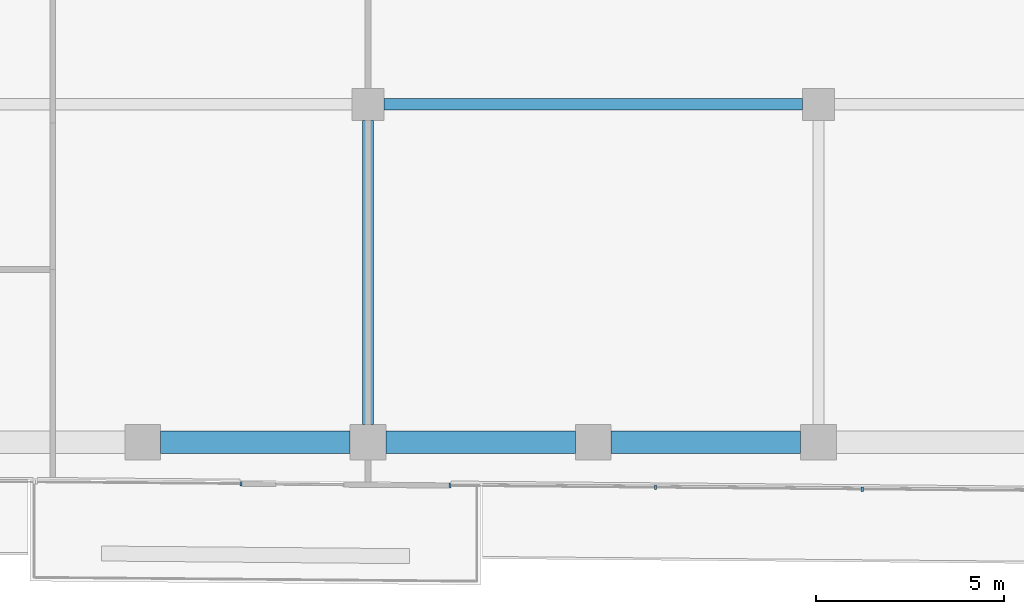
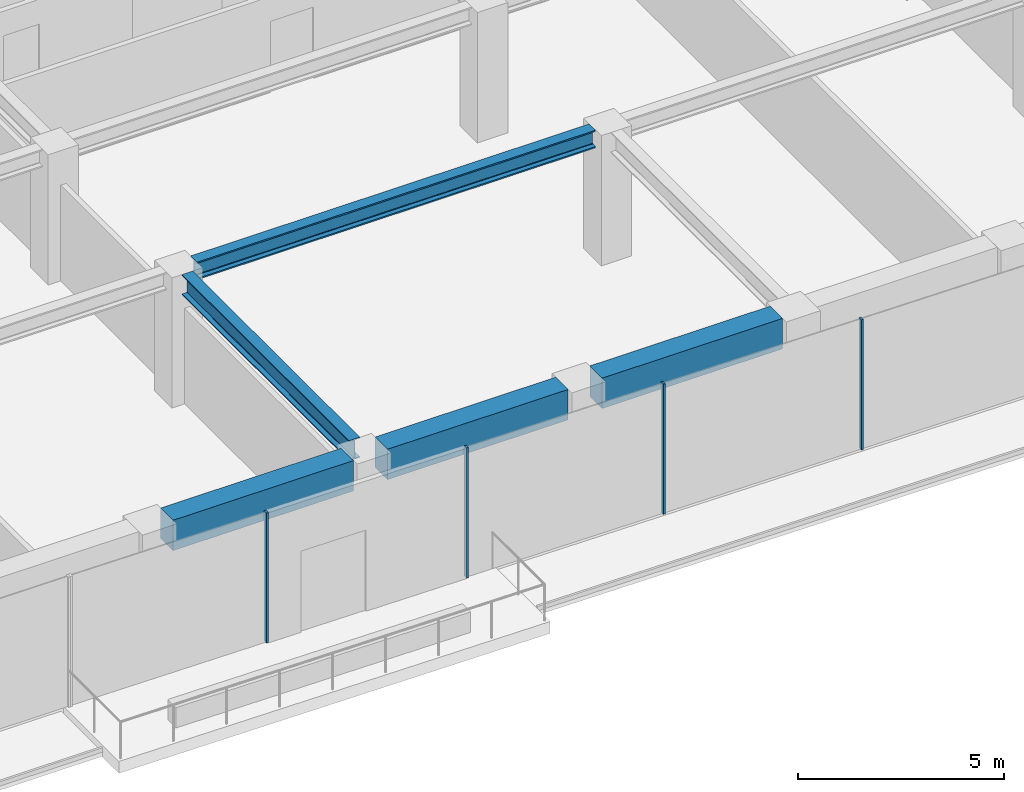
# One storey, part 7 of 29: 5 beams, 4 members, 2 elements without a shape of their own.
"""IFC4 building model written with IfcOpenShell, lengths in metres."""

import ifcopenshell
import ifcopenshell.guid

model = None  # the IFC model being written
_history = None  # IfcOwnerHistory: only IFC2X3 demands one
_inside = {}  # id of a spatial element -> (the spatial element, [elements in it])
_under = {}  # id of a project, library or spatial element -> (it, [spatial elements below it])
_declared = {}  # id of a project -> (the project, [libraries it declares])
_typed = {}  # id of a type object -> (the type object, [elements of that type])
_made_of = {}  # id of a material, layer set ... -> (it, [elements and type objects made of it])


def new_model(schema):
    """Start an empty IFC model of exactly this schema.

    Asked for "IFC4X3", IfcOpenShell would pick the latest addendum, in which some entities
    have other attributes; the version numbers below select the first issue.
    IFC2X3 requires an IfcOwnerHistory on every rooted entity: one is made here for all.
    """
    global model, _history
    if schema == "IFC4X3":
        model = ifcopenshell.file(schema_version=(4, 3, 0, 0))
    else:
        model = ifcopenshell.file(schema=schema)
    _inside.clear()
    _under.clear()
    _declared.clear()
    _typed.clear()
    _made_of.clear()
    _history = None
    if model.schema == "IFC2X3":
        org = make("IfcOrganization", Name="unknown")
        user = make(
            "IfcPersonAndOrganization",
            ThePerson=make("IfcPerson", FamilyName="unknown"),
            TheOrganization=org,
        )
        app = make(
            "IfcApplication",
            ApplicationDeveloper=org,
            Version="unknown",
            ApplicationFullName="unknown",
            ApplicationIdentifier="unknown",
        )
        _history = make(
            "IfcOwnerHistory",
            OwningUser=user,
            OwningApplication=app,
            ChangeAction="ADDED",
            CreationDate=0,
        )
    return model


def make(cls, **values):
    """One entity of the class cls with the attributes given. An attribute that is None is left unset."""
    return model.create_entity(
        cls, **{name: value for name, value in values.items() if value is not None}
    )


def rooted(cls, **values):
    """An entity with a GlobalId (a new one), such as an element, a storey or a relation."""
    return make(cls, GlobalId=ifcopenshell.guid.new(), OwnerHistory=_history, **values)


def si_unit(unit_type, name, prefix=None):
    """IfcSIUnit, for example si_unit("LENGTHUNIT", "METRE", prefix="MILLI")."""
    return make("IfcSIUnit", UnitType=unit_type, Prefix=prefix, Name=name)


def assignment(units):
    """IfcUnitAssignment: the units of a project."""
    return None if units is None else make("IfcUnitAssignment", Units=units)


def point(xyz):
    """IfcCartesianPoint."""
    return None if xyz is None else make("IfcCartesianPoint", Coordinates=xyz)


def direction(xyz):
    """IfcDirection."""
    return None if xyz is None else make("IfcDirection", DirectionRatios=xyz)


def frame(location, z_axis=None, x_axis=None):
    """IfcAxis2Placement3D, a coordinate frame: its origin and axes. An axis left out is left unset."""
    return make(
        "IfcAxis2Placement3D",
        Location=point(location),
        Axis=direction(z_axis),
        RefDirection=direction(x_axis),
    )


def frame_2d(location, x_axis=None):
    """IfcAxis2Placement2D, a coordinate frame in the plane: its origin and x axis."""
    return make(
        "IfcAxis2Placement2D", Location=point(location), RefDirection=direction(x_axis)
    )


def origin():
    """The frame at (0, 0, 0) with its axes left unset."""
    return frame((0.0, 0.0, 0.0))


def origin_2d():
    """The frame at (0, 0) in the plane with its x axis left unset."""
    return frame_2d((0.0, 0.0))


def place(relative_to, where):
    """IfcLocalPlacement: puts the frame where relative to a parent placement (None: the world)."""
    return make(
        "IfcLocalPlacement", PlacementRelTo=relative_to, RelativePlacement=where
    )


def context(
    kind, dimensions, precision=None, world=None, true_north=None, identifier=None
):
    """IfcGeometricRepresentationContext, for example the 3D "Model" context."""
    return make(
        "IfcGeometricRepresentationContext",
        ContextIdentifier=identifier,
        ContextType=kind,
        CoordinateSpaceDimension=dimensions,
        Precision=precision,
        WorldCoordinateSystem=world,
        TrueNorth=true_north,
    )


def subcontext(parent, identifier, kind, view, scale=None):
    """IfcGeometricRepresentationSubContext, for example "Body" below "Model"."""
    return make(
        "IfcGeometricRepresentationSubContext",
        ContextIdentifier=identifier,
        ContextType=kind,
        ParentContext=parent,
        TargetScale=scale,
        TargetView=view,
    )


def project(units=None, contexts=None):
    """IfcProject with its units and contexts."""
    return rooted(
        "IfcProject",
        Name="project",
        RepresentationContexts=contexts,
        UnitsInContext=assignment(units),
    )


def spatial(cls, under=None, at=None, **own):
    """A site, building, storey or space (cls), placed at a placement, below another one or the project."""
    s = rooted(cls, ObjectPlacement=at, **own)
    if under is not None:
        _under.setdefault(under.id(), (under, []))[1].append(s)
    return s


def profile(cls, at=None, kind="AREA", **sizes):
    """A parametric profile (cls). Its sizes go by their IFC names, for example OverallWidth=200.0."""
    return make(cls, ProfileType=kind, Position=at, **sizes)


def rectangle(**sizes):
    """IfcRectangleProfileDef."""
    return profile("IfcRectangleProfileDef", **sizes)


def i_section(**sizes):
    """IfcIShapeProfileDef."""
    return profile("IfcIShapeProfileDef", **sizes)


def extrude(swept, where, along, depth):
    """IfcExtrudedAreaSolid: the profile swept, set in the frame where, extruded along a direction by depth."""
    return make(
        "IfcExtrudedAreaSolid",
        SweptArea=swept,
        Position=where,
        ExtrudedDirection=direction(along),
        Depth=depth,
    )


def shape(context_of_items, identifier, shape_type, items):
    """IfcShapeRepresentation: the items that make up one representation, for example the "Body"."""
    return make(
        "IfcShapeRepresentation",
        ContextOfItems=context_of_items,
        RepresentationIdentifier=identifier,
        RepresentationType=shape_type,
        Items=items,
    )


def material(Name=None, Category=None):
    """IfcMaterial."""
    return make("IfcMaterial", Name=Name, Category=Category)


def layer(
    of_material, thickness, ventilated=None, Name=None, Category=None, Priority=None
):
    """IfcMaterialLayer: one layer of a wall or slab, of a material (None: an air gap)."""
    return make(
        "IfcMaterialLayer",
        Material=of_material,
        LayerThickness=thickness,
        IsVentilated=ventilated,
        Name=Name,
        Category=Category,
        Priority=Priority,
    )


def layer_set(layers, Name=None):
    """IfcMaterialLayerSet."""
    return make("IfcMaterialLayerSet", MaterialLayers=layers, LayerSetName=Name)


def material_profile(
    of_material, cross_section, Name=None, Category=None, Priority=None
):
    """IfcMaterialProfile: a cross section and its material."""
    return make(
        "IfcMaterialProfile",
        Name=Name,
        Material=of_material,
        Profile=cross_section,
        Priority=Priority,
        Category=Category,
    )


def profile_set(profiles, Name=None, composite=None):
    """IfcMaterialProfileSet."""
    return make(
        "IfcMaterialProfileSet",
        Name=Name,
        MaterialProfiles=profiles,
        CompositeProfile=composite,
    )


def made_of(thing, what):
    """Note that an element or type object is made of a material, layer set ...; save() writes the relation."""
    if what is not None:
        _made_of.setdefault(what.id(), (what, []))[1].append(thing)
    return thing


def type_object(cls, material=None, **own):
    """A type object (cls), such as IfcWallType, which elements share."""
    return made_of(rooted(cls, **own), material)


def element(
    cls,
    number,
    at=None,
    inside=None,
    cuts=None,
    type_object=None,
    material=None,
    context=None,
    identifier="Body",
    shape_type=None,
    held_by="IfcProductDefinitionShape",
    body=None,
    shapes=None,
    **own,
):
    """One element of the class cls, such as IfcWall. Its Tag is "e" and its number.

    at: its placement. inside: the storey or other place that contains it. cuts: it is an
    opening in that element (IfcRelVoidsElement). A single representation is given by context,
    identifier, shape_type and body (its items); several are given by shapes. held_by: the class
    of the entity that holds the representations. save() writes the other relations.
    """
    e = rooted(cls, Tag="e%d" % number, ObjectPlacement=at, **own)
    if body is not None:
        shapes = [shape(context, identifier, shape_type, body)]
    if shapes is not None:
        e.Representation = make(held_by, Representations=shapes)
    if inside is not None:
        _inside.setdefault(inside.id(), (inside, []))[1].append(e)
    if cuts is not None:
        rooted(
            "IfcRelVoidsElement", RelatingBuildingElement=cuts, RelatedOpeningElement=e
        )
    if type_object is not None:
        _typed.setdefault(type_object.id(), (type_object, []))[1].append(e)
    return made_of(e, material)


def aggregate(whole, parts):
    """IfcRelAggregates: a whole, such as a stair, and the parts it consists of."""
    return rooted("IfcRelAggregates", RelatingObject=whole, RelatedObjects=parts)


def save(model, path):
    """Write the relations noted so far, then the file.

    IfcRelAggregates (storeys below a building ...), IfcRelContainedInSpatialStructure (elements
    in a storey), IfcRelDefinesByType, IfcRelAssociatesMaterial and IfcRelDeclares: one each for
    every whole, place, type object, material and project.
    """
    for whole, parts in _under.values():
        aggregate(whole, parts)
    for where, things in _inside.values():
        rooted(
            "IfcRelContainedInSpatialStructure",
            RelatedElements=things,
            RelatingStructure=where,
        )
    for kind, things in _typed.values():
        rooted("IfcRelDefinesByType", RelatedObjects=things, RelatingType=kind)
    for what, things in _made_of.values():
        rooted("IfcRelAssociatesMaterial", RelatedObjects=things, RelatingMaterial=what)
    for by, libraries in _declared.values():
        rooted("IfcRelDeclares", RelatingContext=by, RelatedDefinitions=libraries)
    model.write(path)


model = new_model("IFC4")

# Units and contexts
model_context = context("Model", 3, precision=1e-05, world=origin(), true_north=direction((0.0, 1.0)))
body_context = subcontext(model_context, "Body", "Model", "MODEL_VIEW")
ifc_project = project(units=[si_unit("LENGTHUNIT", "METRE"), si_unit("AREAUNIT", "SQUARE_METRE"), si_unit("VOLUMEUNIT", "CUBIC_METRE"), si_unit("PLANEANGLEUNIT", "RADIAN"), si_unit("MASSUNIT", "GRAM", prefix="KILO")], contexts=[model_context])

# Site, building, storey
site_placement = place(None, origin())
site = spatial("IfcSite", under=ifc_project, at=site_placement, CompositionType="ELEMENT")
building_placement = place(site_placement, origin())
building = spatial("IfcBuilding", under=site, at=building_placement, Name="Welwitschia Terrace Campus", CompositionType="ELEMENT")
storey_placement = place(building_placement, frame((0.0, 0.0, 50.0)))
storey = spatial("IfcBuildingStorey", under=building, at=storey_placement, Name="L11", CompositionType="ELEMENT", Elevation=50.0)

# Beam
ifc_material_1 = material(Name="Steel S355", Category="steel")
ifc_material_profile_1 = material_profile(ifc_material_1, i_section(OverallWidth=0.305908203125, OverallDepth=0.52392578125, WebThickness=0.02099609375, FlangeThickness=0.0400390625, FilletRadius=0.027099609375, at=origin_2d()))
ifc_profile_set_1 = profile_set([ifc_material_profile_1], Name="Steel S355")
beam_type_1 = type_object("IfcBeamType", Name="Interior girder HE 500 M", PredefinedType="BEAM", material=ifc_profile_set_1)
beam_1_placement = place(storey_placement, frame((36.425537109375, 5.0, 3.587890625), z_axis=(1.0, 0.0, 0.0), x_axis=(0.0, 1.0, 0.0)))
element("IfcBeam", 1, at=beam_1_placement, inside=storey, type_object=beam_type_1, Name="Girder GB2", PredefinedType="BEAM", context=body_context, shape_type="SweptSolid", body=[
    extrude(i_section(OverallWidth=0.305908203125, OverallDepth=0.52392578125, WebThickness=0.02099609375, FlangeThickness=0.0400390625, FilletRadius=0.027099609375, at=origin_2d()), origin(), (0.0, 0.0, 1.0), 11.14892578125),
])

# Curtain wall, member
ifc_material_2 = material(Name="Bronze anodised aluminium", Category="aluminium")
ifc_layer = layer(ifc_material_2, 0.1201171875)
ifc_layer_set = layer_set([ifc_layer], Name="Bronze anodised aluminium")
curtain_wall_type = type_object("IfcCurtainWallType", Name="Curtain wall CW2 tower 6000", PredefinedType="NOTDEFINED", material=ifc_layer_set)
curtain_wall_1_placement = place(storey_placement, origin())
curtain_wall_1 = element("IfcCurtainWall", 2, at=curtain_wall_1_placement, inside=storey, type_object=curtain_wall_type, Name="CW L11.2.0", PredefinedType="NOTDEFINED")
ifc_material_3 = material(Name="Bronze anodised aluminium", Category="aluminium")
ifc_material_profile_2 = material_profile(ifc_material_3, rectangle(XDim=0.1201171875, YDim=0.06005859375, at=origin_2d()))
ifc_profile_set_2 = profile_set([ifc_material_profile_2], Name="Bronze anodised aluminium")
member_type = type_object("IfcMemberType", Name="Mullion 60x120", PredefinedType="MULLION", material=ifc_profile_set_2)
member_1_placement = place(storey_placement, frame((32.6171875, -5.105712890625, 0.0), z_axis=(0.0, 0.0, 1.0), x_axis=(0.008726535498, 0.999961923064, 0.0)))
member_1 = element("IfcMember", 3, at=member_1_placement, type_object=member_type, Name="Mullion L11.2.0.1", PredefinedType="MULLION", context=body_context, shape_type="SweptSolid", body=[
    extrude(rectangle(XDim=0.1201171875, YDim=0.06005859375, at=origin_2d()), origin(), (0.0, 0.0, 1.0), 3.85009765625),
])
aggregate(curtain_wall_1, [member_1])

# Curtain wall, members
curtain_wall_2_placement = place(storey_placement, origin())
curtain_wall_2 = element("IfcCurtainWall", 4, at=curtain_wall_2_placement, inside=storey, type_object=curtain_wall_type, Name="CW L11.2.2", PredefinedType="NOTDEFINED")
member_2_placement = place(storey_placement, frame((38.18408203125, -5.154296875, 0.0), z_axis=(0.0, 0.0, 1.0), x_axis=(0.008726535498, 0.999961923064, 0.0)))
member_2 = element("IfcMember", 5, at=member_2_placement, type_object=member_type, Name="Mullion L11.2.2.0", PredefinedType="MULLION", context=body_context, shape_type="SweptSolid", body=[
    extrude(rectangle(XDim=0.1201171875, YDim=0.06005859375, at=origin_2d()), origin(), (0.0, 0.0, 1.0), 3.85009765625),
])
member_3_placement = place(storey_placement, frame((43.660888671875, -5.2021484375, 0.0), z_axis=(0.0, 0.0, 1.0), x_axis=(0.008726535498, 0.999961923064, 0.0)))
member_3 = element("IfcMember", 6, at=member_3_placement, type_object=member_type, Name="Mullion L11.2.2.1", PredefinedType="MULLION", context=body_context, shape_type="SweptSolid", body=[
    extrude(rectangle(XDim=0.1201171875, YDim=0.06005859375, at=origin_2d()), origin(), (0.0, 0.0, 1.0), 3.85009765625),
])
member_4_placement = place(storey_placement, frame((49.167724609375, -5.250244140625, 0.0), z_axis=(0.0, 0.0, 1.0), x_axis=(0.008726535498, 0.999961923064, 0.0)))
member_4 = element("IfcMember", 7, at=member_4_placement, type_object=member_type, Name="Mullion L11.2.2.2", PredefinedType="MULLION", context=body_context, shape_type="SweptSolid", body=[
    extrude(rectangle(XDim=0.1201171875, YDim=0.06005859375, at=origin_2d()), origin(), (0.0, 0.0, 1.0), 3.85009765625),
])
aggregate(curtain_wall_2, [member_2, member_3, member_4])

# Beams
ifc_material_4 = material(Name="Steel S355", Category="steel")
ifc_material_profile_3 = material_profile(ifc_material_4, i_section(OverallWidth=0.300048828125, OverallDepth=0.60009765625, WebThickness=0.015380859375, FlangeThickness=0.030029296875, FilletRadius=0.027099609375, at=origin_2d()))
ifc_profile_set_3 = profile_set([ifc_material_profile_3], Name="Steel S355")
beam_type_2 = type_object("IfcBeamType", Name="Primary beam HE 600 B", PredefinedType="BEAM", material=ifc_profile_set_3)
beam_2_placement = place(storey_placement, frame((36.0, -3.5244140625, 3.550048828125), z_axis=(0.0, 1.0, 0.0), x_axis=(-1.0, 0.0, 0.0)))
element("IfcBeam", 8, at=beam_2_placement, inside=storey, type_object=beam_type_2, Name="Primary beam PB2", PredefinedType="BEAM", context=body_context, shape_type="SweptSolid", body=[
    extrude(i_section(OverallWidth=0.300048828125, OverallDepth=0.60009765625, WebThickness=0.015380859375, FlangeThickness=0.030029296875, FilletRadius=0.027099609375, at=origin_2d()), origin(), (0.0, 0.0, 1.0), 8.098876953125),
])
ifc_material_5 = material(Name="Concrete C60/75", Category="concrete")
ifc_material_profile_4 = material_profile(ifc_material_5, rectangle(XDim=0.60009765625, YDim=0.89990234375, at=origin_2d()))
ifc_profile_set_4 = profile_set([ifc_material_profile_4], Name="Concrete C60/75")
beam_type_3 = type_object("IfcBeamType", Name="Ring spandrel 600x900", PredefinedType="SPANDREL", material=ifc_profile_set_4)
for number, where, z_axis, x_axis, name in (
    (9, (30.4755859375, -4.0, 3.39990234375), (1.0, 0.0, 0.0), (0.0, 1.0, 0.0), "Spandrel SP2"),
    (10, (36.4755859375, -4.0, 3.39990234375), (1.0, 0.0, 0.0), (0.0, 1.0, 0.0), "Spandrel SP2"),
    (11, (42.4755859375, -4.0, 3.39990234375), (1.0, 0.0, 0.0), (0.0, 1.0, 0.0), "Spandrel SP2"),
):
    element("IfcBeam", number, at=place(storey_placement, frame(where, z_axis=z_axis, x_axis=x_axis)), inside=storey, type_object=beam_type_3, Name=name, PredefinedType="SPANDREL", context=body_context, shape_type="SweptSolid", body=[
        extrude(rectangle(XDim=0.60009765625, YDim=0.89990234375, at=origin_2d()), origin(), (0.0, 0.0, 1.0), 5.048828125),
    ])

save(model, "model.ifc")
